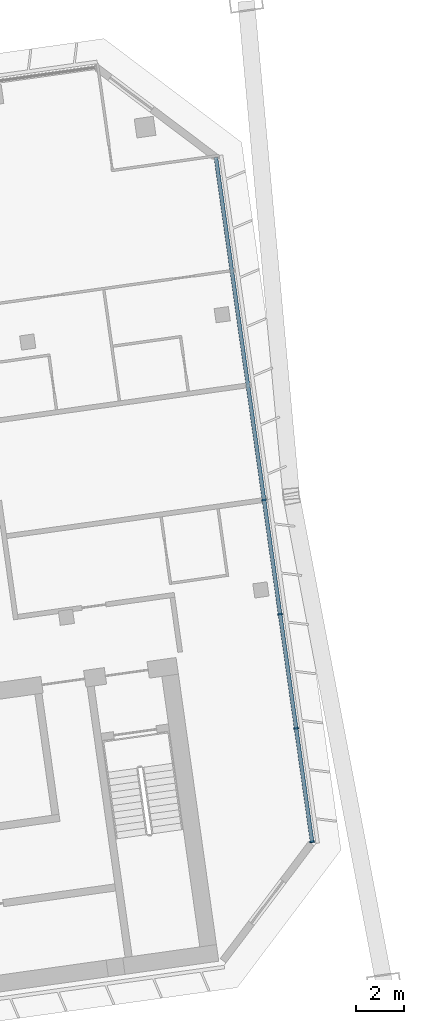
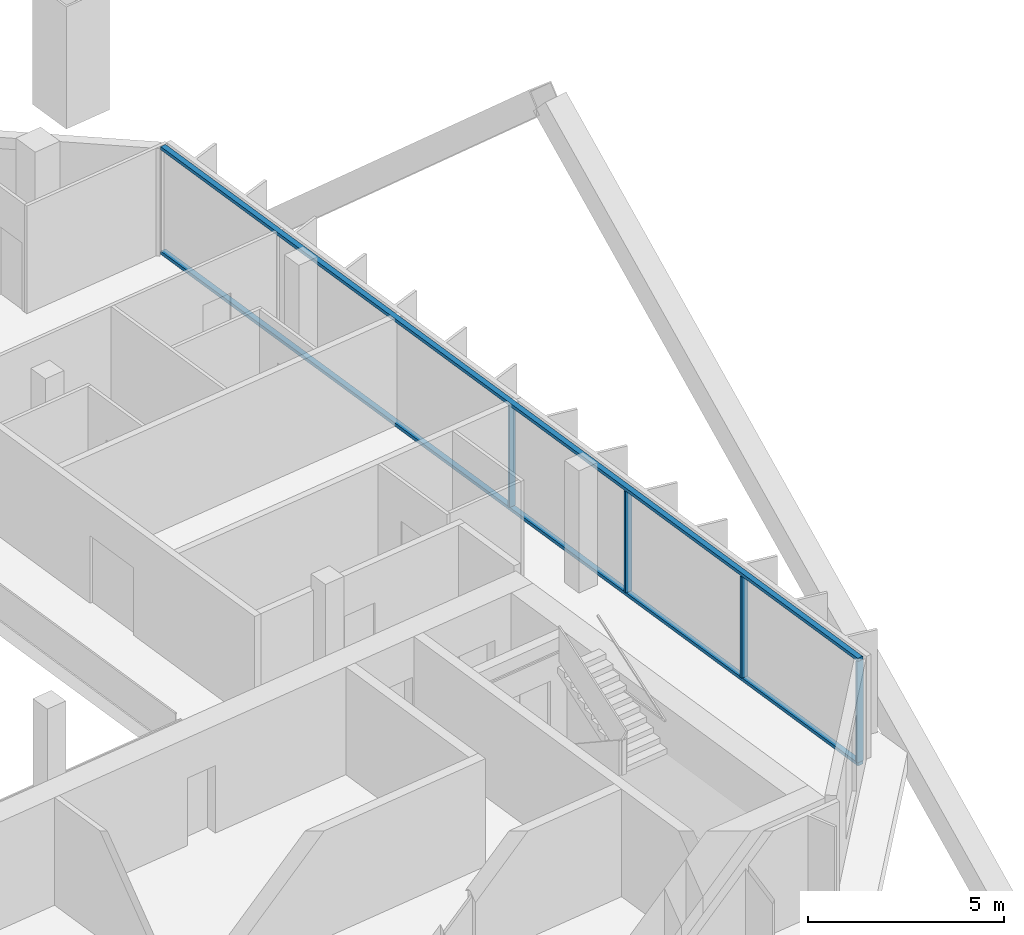
# One storey, part 10 of 28: 6 members, 1 element without a shape of its own.
"""IFC4 building model written with IfcOpenShell, lengths in metres."""

from ifc_helpers import new_model, si_unit, direction, frame, origin, origin_2d, place, context, subcontext, project, spatial, rectangle, extrude, material, material_profile, profile_set, type_object, element, aggregate, save


model = new_model("IFC4")

# Units and contexts
model_context = context("Model", 3, precision=1e-05, world=origin(), true_north=direction((0.0, 1.0)))
body_context = subcontext(model_context, "Body", "Model", "MODEL_VIEW")
ifc_project = project(units=[si_unit("LENGTHUNIT", "METRE"), si_unit("AREAUNIT", "SQUARE_METRE"), si_unit("VOLUMEUNIT", "CUBIC_METRE"), si_unit("PLANEANGLEUNIT", "RADIAN"), si_unit("MASSUNIT", "GRAM", prefix="KILO")], contexts=[model_context])

# Site, building, storey
site_placement = place(None, origin())
site = spatial("IfcSite", under=ifc_project, at=site_placement, CompositionType="ELEMENT")
building_placement = place(site_placement, origin())
building = spatial("IfcBuilding", under=site, at=building_placement, Name="Mirante Cascada Hotel Towers", CompositionType="ELEMENT")
storey_placement = place(building_placement, frame((0.0, 0.0, 165.0)))
storey = spatial("IfcBuildingStorey", under=building, at=storey_placement, Name="L38", CompositionType="ELEMENT", Elevation=165.0)

# Curtain wall, members
ifc_material_1 = material(Name="Aluminium mullion and transom frame with clear laminated glass", Category="aluminium")
curtain_wall_type = type_object("IfcCurtainWallType", Name="End ribbon curtain wall ECW2", PredefinedType="NOTDEFINED", material=ifc_material_1)
curtain_wall_placement = place(storey_placement, origin())
curtain_wall = element("IfcCurtainWall", 1, at=curtain_wall_placement, inside=storey, type_object=curtain_wall_type, Name="Outer end wall T2 L38", PredefinedType="NOTDEFINED")
ifc_material_2 = material(Name="Anodised aluminium extrusion", Category="aluminium")
ifc_material_profile_1 = material_profile(ifc_material_2, rectangle(XDim=0.2, YDim=0.065, at=origin_2d()), Name="ECW2 MULLION 65x200")
ifc_profile_set_1 = profile_set([ifc_material_profile_1], Name="Anodised aluminium extrusion")
member_type_1 = type_object("IfcMemberType", Name="ECW2 mullion 65x200", PredefinedType="MULLION", material=ifc_profile_set_1)
member_1_placement = place(storey_placement, frame((94.2432, -7.5181, 0.1), z_axis=(0.0, 0.0, 1.0), x_axis=(-0.9902681, -0.1391731, 0.0)))
member_1 = element("IfcMember", 2, at=member_1_placement, type_object=member_type_1, Name="ECW2 mullion 1", PredefinedType="MULLION", context=body_context, shape_type="SweptSolid", body=[
    extrude(rectangle(XDim=0.2, YDim=0.065, at=origin_2d()), origin(), (0.0, 0.0, 1.0), 3.15),
])
member_2_placement = place(storey_placement, frame((93.5779, -2.7845, 0.1), z_axis=(0.0, 0.0, 1.0), x_axis=(-0.9902681, -0.1391731, 0.0)))
member_2 = element("IfcMember", 3, at=member_2_placement, type_object=member_type_1, Name="ECW2 mullion 2", PredefinedType="MULLION", context=body_context, shape_type="SweptSolid", body=[
    extrude(rectangle(XDim=0.2, YDim=0.065, at=origin_2d()), origin(), (0.0, 0.0, 1.0), 3.15),
])
member_3_placement = place(storey_placement, frame((92.9081, 1.9812, 0.1), z_axis=(0.0, 0.0, 1.0), x_axis=(-0.9902681, -0.1391731, 0.0)))
member_3 = element("IfcMember", 4, at=member_3_placement, type_object=member_type_1, Name="ECW2 mullion 3", PredefinedType="MULLION", context=body_context, shape_type="SweptSolid", body=[
    extrude(rectangle(XDim=0.2, YDim=0.065, at=origin_2d()), origin(), (0.0, 0.0, 1.0), 3.15),
])
member_4_placement = place(storey_placement, frame((92.2383, 6.747, 0.1), z_axis=(0.0, 0.0, 1.0), x_axis=(-0.9902681, -0.1391731, 0.0)))
member_4 = element("IfcMember", 5, at=member_4_placement, type_object=member_type_1, Name="ECW2 mullion 4", PredefinedType="MULLION", context=body_context, shape_type="SweptSolid", body=[
    extrude(rectangle(XDim=0.2, YDim=0.065, at=origin_2d()), origin(), (0.0, 0.0, 1.0), 3.15),
])
ifc_material_3 = material(Name="Anodised aluminium extrusion", Category="aluminium")
ifc_material_profile_2 = material_profile(ifc_material_3, rectangle(XDim=0.16, YDim=0.1, at=origin_2d()), Name="ECW2 TRANSOM 100x160")
ifc_profile_set_2 = profile_set([ifc_material_profile_2], Name="Anodised aluminium extrusion")
member_type_2 = type_object("IfcMemberType", Name="ECW2 transom 100x160", PredefinedType="USERDEFINED", material=ifc_profile_set_2)
member_5_placement = place(storey_placement, frame((94.2477, -7.5503, 0.05), z_axis=(-0.1391723, 0.9902682, 0.0), x_axis=(-0.9902682, -0.1391723, 0.0)))
member_5 = element("IfcMember", 6, at=member_5_placement, type_object=member_type_2, Name="ECW2 sill transom", ObjectType="TRANSOM", PredefinedType="USERDEFINED", context=body_context, shape_type="SweptSolid", body=[
    extrude(rectangle(XDim=0.16, YDim=0.1, at=origin_2d()), origin(), (0.0, 0.0, 1.0), 28.8757),
])
member_6_placement = place(storey_placement, frame((94.2477, -7.5503, 3.3), z_axis=(-0.1391723, 0.9902682, 0.0), x_axis=(-0.9902682, -0.1391723, 0.0)))
member_6 = element("IfcMember", 7, at=member_6_placement, type_object=member_type_2, Name="ECW2 head transom", ObjectType="TRANSOM", PredefinedType="USERDEFINED", context=body_context, shape_type="SweptSolid", body=[
    extrude(rectangle(XDim=0.16, YDim=0.1, at=origin_2d()), origin(), (0.0, 0.0, 1.0), 28.8757),
])
aggregate(curtain_wall, [member_5, member_6, member_1, member_2, member_3, member_4])

save(model, "model.ifc")
